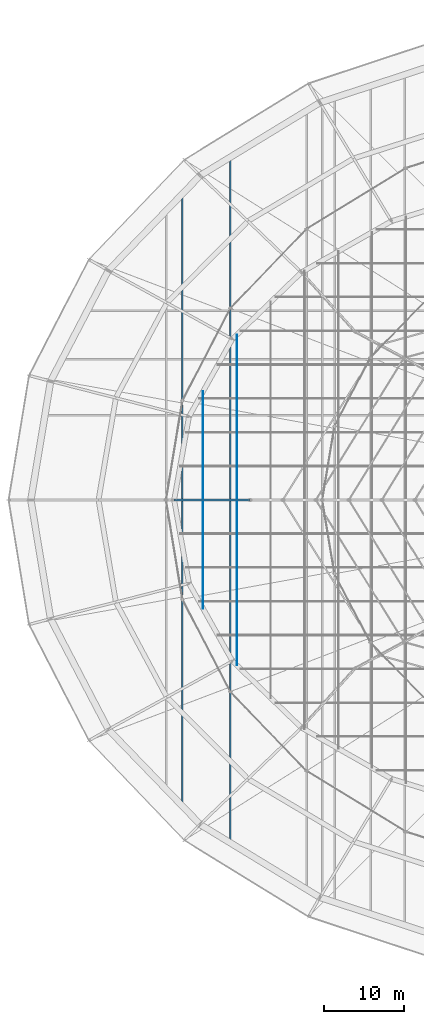
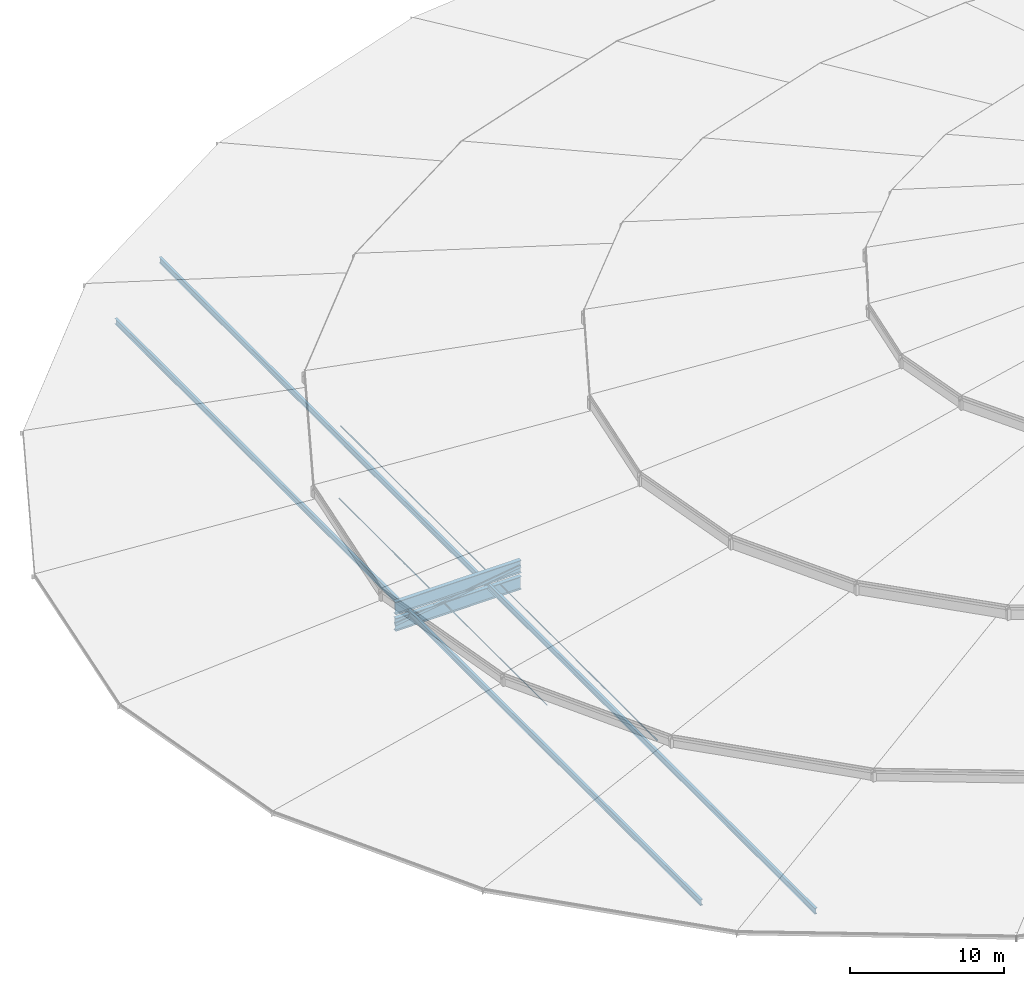
# One storey, part 8 of 184: 5 members, 2 beams.
"""IFC4 building model written with IfcOpenShell, lengths in metres."""

from ifc_helpers import new_model, si_unit, direction, frame, origin, origin_2d, place, context, subcontext, project, spatial, hollow_rectangle, circle, i_section, extrude, material, material_profile, profile_set, type_object, element, save


model = new_model("IFC4")

# Units and contexts
model_context = context("Model", 3, precision=1e-05, world=origin(), true_north=direction((0.0, 1.0)))
body_context = subcontext(model_context, "Body", "Model", "MODEL_VIEW")
ifc_project = project(units=[si_unit("LENGTHUNIT", "METRE"), si_unit("AREAUNIT", "SQUARE_METRE"), si_unit("VOLUMEUNIT", "CUBIC_METRE"), si_unit("PLANEANGLEUNIT", "RADIAN"), si_unit("MASSUNIT", "GRAM", prefix="KILO")], contexts=[model_context])

# Site, building, storey
site_placement = place(None, origin())
site = spatial("IfcSite", under=ifc_project, at=site_placement, CompositionType="ELEMENT")
building_placement = place(site_placement, origin())
building = spatial("IfcBuilding", under=site, at=building_placement, Name="Kalgoora Escarpment Arena", CompositionType="ELEMENT")
storey_placement = place(building_placement, frame((0.0, 0.0, 27.60009765625)))
storey = spatial("IfcBuildingStorey", under=building, at=storey_placement, Name="Roof Level", CompositionType="ELEMENT", Elevation=27.60009765625)

# Beams
ifc_material_1 = material(Name="Structural steel Grade 350 (350 MPa)", Category="steel")
ifc_material_profile_1 = material_profile(ifc_material_1, i_section(OverallWidth=0.300048828125, OverallDepth=1.010009765625, WebThickness=0.01611328125, FlangeThickness=0.030029296875, at=origin_2d()))
ifc_profile_set_1 = profile_set([ifc_material_profile_1], Name="Structural steel Grade 350 (350 MPa)")
beam_type = type_object("IfcBeamType", Name="BM-TRUSS-CHORD", PredefinedType="USERDEFINED", material=ifc_profile_set_1)
for number, where, z_axis, x_axis, name in (
    (1, (38.387939453125, 64.0, -1.7001953125), (0.999985898301, 0.0, 0.005310668354), (0.0, 1.0, 0.0), "Radial ROOF TRUSS spine 5 bottom chord 1"),
    (2, (38.387939453125, 64.0, -0.400146484375), (0.999985898301, 0.0, 0.005310668354), (0.0, 1.0, 0.0), "Radial ROOF TRUSS spine 5 top chord 1"),
):
    element("IfcBeam", number, at=place(storey_placement, frame(where, z_axis=z_axis, x_axis=x_axis)), inside=storey, type_object=beam_type, Name=name, ObjectType="GIRDER", PredefinedType="USERDEFINED", context=body_context, shape_type="SweptSolid", body=[
        extrude(i_section(OverallWidth=0.300048828125, OverallDepth=1.010009765625, WebThickness=0.01611328125, FlangeThickness=0.030029296875, at=origin_2d()), origin(), (0.0, 0.0, 1.0), 9.42431640625),
    ])

# Members
ifc_material_2 = material(Name="High-tensile spiral strand steel Grade 450 (350 MPa)", Category="steel")
ifc_material_profile_2 = material_profile(ifc_material_2, circle(Radius=0.028076171875, at=origin_2d()))
ifc_profile_set_2 = profile_set([ifc_material_profile_2], Name="High-tensile spiral strand steel Grade 450 (350 MPa)")
member_type_1 = type_object("IfcMemberType", Name="MEM-CABLE-56", PredefinedType="USERDEFINED", material=ifc_profile_set_2)
member_1_placement = place(storey_placement, frame((42.0, 50.499755859375, -1.190185546875), z_axis=(0.0, 1.0, 0.0), x_axis=(-1.0, 0.0, 0.0)))
element("IfcMember", 3, at=member_1_placement, inside=storey, type_object=member_type_1, Name="Roof saddle pretensioning cable Y-19", ObjectType="CABLE", PredefinedType="USERDEFINED", context=body_context, shape_type="SweptSolid", body=[
    extrude(circle(Radius=0.028076171875, at=origin_2d()), origin(), (0.0, 0.0, 1.0), 27.00048828125),
])
member_2_placement = place(storey_placement, frame((46.199951171875, 43.4541015625, -1.190185546875), z_axis=(0.0, 1.0, 0.0), x_axis=(-1.0, 0.0, 0.0)))
element("IfcMember", 4, at=member_2_placement, inside=storey, type_object=member_type_1, Name="Roof saddle pretensioning cable Y-20", ObjectType="CABLE", PredefinedType="USERDEFINED", context=body_context, shape_type="SweptSolid", body=[
    extrude(circle(Radius=0.028076171875, at=origin_2d()), origin(), (0.0, 0.0, 1.0), 41.091796875),
])
ifc_material_3 = material(Name="Structural steel AS/NZS 3679 (300 MPa)", Category="steel")
ifc_material_profile_3 = material_profile(ifc_material_3, i_section(OverallWidth=0.19091796875, OverallDepth=0.4599609375, WebThickness=0.010009765625, FlangeThickness=0.01611328125, at=origin_2d()))
ifc_profile_set_3 = profile_set([ifc_material_profile_3], Name="Structural steel AS/NZS 3679 (300 MPa)")
member_type_2 = type_object("IfcMemberType", Name="MEM-CARRIER-CHORD", PredefinedType="CHORD", material=ifc_profile_set_3)
member_3_placement = place(storey_placement, frame((45.385009765625, 21.407470703125, -1.080078125), z_axis=(0.0, 1.0, 0.0), x_axis=(-1.0, 0.0, 0.0)))
element("IfcMember", 5, at=member_3_placement, inside=storey, type_object=member_type_2, Name="Petal RP2 spanning carrier chord C11", PredefinedType="CHORD", context=body_context, shape_type="SweptSolid", body=[
    extrude(i_section(OverallWidth=0.19091796875, OverallDepth=0.4599609375, WebThickness=0.010009765625, FlangeThickness=0.01611328125, at=origin_2d()), origin(), (0.0, 0.0, 1.0), 85.18505859375),
])
member_4_placement = place(storey_placement, frame((39.430908203125, 25.969970703125, -1.080078125), z_axis=(0.0, 1.0, 0.0), x_axis=(-1.0, 0.0, 0.0)))
element("IfcMember", 6, at=member_4_placement, inside=storey, type_object=member_type_2, Name="Petal RP2 spanning carrier chord C12", PredefinedType="CHORD", context=body_context, shape_type="SweptSolid", body=[
    extrude(i_section(OverallWidth=0.19091796875, OverallDepth=0.4599609375, WebThickness=0.010009765625, FlangeThickness=0.01611328125, at=origin_2d()), origin(), (0.0, 0.0, 1.0), 76.06005859375),
])
ifc_material_4 = material(Name="Structural steel C350 (350 MPa)", Category="steel")
ifc_material_profile_4 = material_profile(ifc_material_4, hollow_rectangle(XDim=0.199951171875, YDim=0.199951171875, WallThickness=0.009033203125, at=origin_2d()))
ifc_profile_set_4 = profile_set([ifc_material_profile_4], Name="Structural steel C350 (350 MPa)")
member_type_3 = type_object("IfcMemberType", Name="MEM-TRUSS-DIAG", PredefinedType="BRACE", material=ifc_profile_set_4)
member_5_placement = place(storey_placement, frame((38.39990234375, 64.0, -1.7001953125), z_axis=(0.98984278137, 0.0, 0.142166339791), x_axis=(0.0, 1.0, 0.0)))
element("IfcMember", 7, at=member_5_placement, inside=storey, type_object=member_type_3, Name="Radial ROOF TRUSS spine 5 web diagonal 1", PredefinedType="BRACE", context=body_context, shape_type="SweptSolid", body=[
    extrude(hollow_rectangle(XDim=0.199951171875, YDim=0.199951171875, WallThickness=0.009033203125, at=origin_2d()), origin(), (0.0, 0.0, 1.0), 9.49658203125),
])

save(model, "model.ifc")
